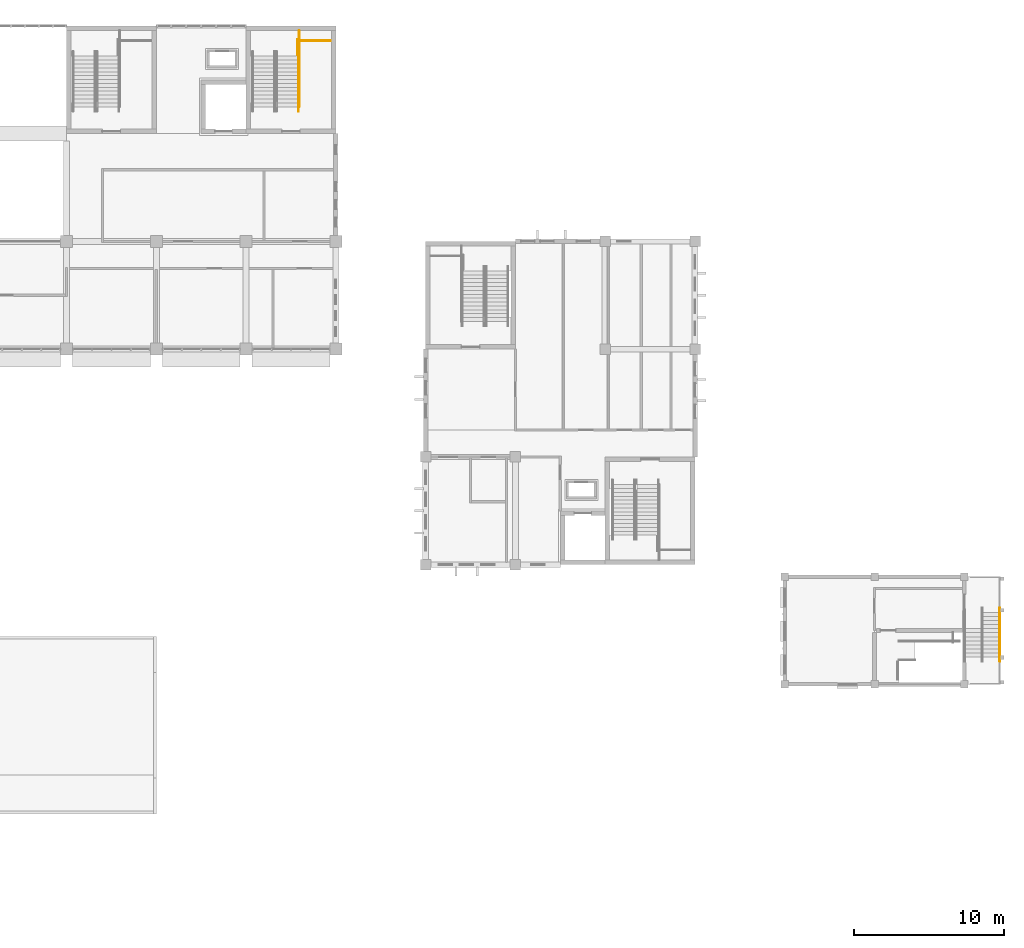
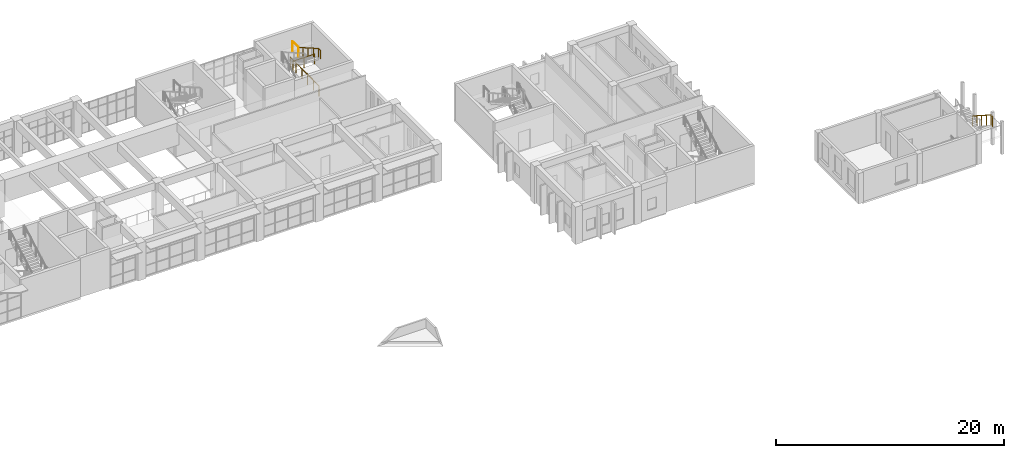
# One storey, part 47 of 47: 5 railings.
"""IFC4 building model written with IfcOpenShell, lengths in metres."""

from ifc_helpers import new_model, si_unit, direction, frame, origin, origin_2d, place, context, subcontext, project, spatial, circle, extrude, material, type_object, element, save


model = new_model("IFC4")

# Units and contexts
model_context = context("Model", 3, precision=1e-05, world=origin(), true_north=direction((0.0, 1.0)))
body_context = subcontext(model_context, "Body", "Model", "MODEL_VIEW")
ifc_project = project(units=[si_unit("LENGTHUNIT", "METRE"), si_unit("AREAUNIT", "SQUARE_METRE"), si_unit("VOLUMEUNIT", "CUBIC_METRE"), si_unit("PLANEANGLEUNIT", "RADIAN"), si_unit("MASSUNIT", "GRAM", prefix="KILO")], contexts=[model_context])

# Site, building, storey
site_placement = place(None, origin())
site = spatial("IfcSite", under=ifc_project, at=site_placement, CompositionType="ELEMENT")
building_placement = place(site_placement, origin())
building = spatial("IfcBuilding", under=site, at=building_placement, Name="Laocheng Heights Fire and Rescue Headquarters", CompositionType="ELEMENT")
storey_placement = place(building_placement, frame((0.0, 0.0, 16.800048828125)))
storey = spatial("IfcBuildingStorey", under=building, at=storey_placement, Name="L04", CompositionType="ELEMENT", Elevation=16.800048828125)

# Railings
ifc_material_1 = material(Name="Steel Q355B", Category="steel")
railing_type_1 = type_object("IfcRailingType", Name="STAIR GUARD 1100", PredefinedType="GUARDRAIL", material=ifc_material_1)
railing_1_placement = place(storey_placement, frame((81.47509765625, 71.02001953125, 0.0)))
element("IfcRailing", 1, at=railing_1_placement, inside=storey, type_object=railing_type_1, Name="Stair H2 guard L04 tongue edge", PredefinedType="GUARDRAIL", context=body_context, shape_type="SweptSolid", body=[
    extrude(circle(Radius=0.02392578125, at=origin_2d()), frame((0.0, 0.0, 1.076171875), z_axis=(1.0, 0.0, 0.0), x_axis=(0.0, 1.0, 0.0)), (0.0, 0.0, 1.0), 2.1748046875),
    extrude(circle(Radius=0.02099609375, at=origin_2d()), origin(), (0.0, 0.0, 1.0), 1.052001953125),
    extrude(circle(Radius=0.02099609375, at=origin_2d()), frame((1.08740234375, 0.0, 0.0)), (0.0, 0.0, 1.0), 1.052001953125),
    extrude(circle(Radius=0.02099609375, at=origin_2d()), frame((2.1748046875, 0.0, 0.0)), (0.0, 0.0, 1.0), 1.052001953125),
])
railing_2_placement = place(storey_placement, frame((81.554931640625, 71.679931640625, 0.0)))
element("IfcRailing", 2, at=railing_2_placement, inside=storey, type_object=railing_type_1, Name="Stair H2 guard L04 strip edge", PredefinedType="GUARDRAIL", context=body_context, shape_type="SweptSolid", body=[
    extrude(circle(Radius=0.02392578125, at=origin_2d()), frame((0.0, 0.0, 1.076171875), z_axis=(0.0, -1.0, 0.0), x_axis=(1.0, 0.0, 0.0)), (0.0, 0.0, 1.0), 5.079833984375),
    extrude(circle(Radius=0.02099609375, at=origin_2d()), origin(), (0.0, 0.0, 1.0), 1.052001953125),
    extrude(circle(Radius=0.02099609375, at=origin_2d()), frame((0.0, -1.015869140625, 0.0)), (0.0, 0.0, 1.0), 1.052001953125),
    extrude(circle(Radius=0.02099609375, at=origin_2d()), frame((0.0, -2.031982421875, 0.0)), (0.0, 0.0, 1.0), 1.052001953125),
    extrude(circle(Radius=0.02099609375, at=origin_2d()), frame((0.0, -3.0478515625, 0.0)), (0.0, 0.0, 1.0), 1.052001953125),
    extrude(circle(Radius=0.02099609375, at=origin_2d()), frame((0.0, -4.06396484375, 0.0)), (0.0, 0.0, 1.0), 1.052001953125),
    extrude(circle(Radius=0.02099609375, at=origin_2d()), frame((0.0, -5.079833984375, 0.0)), (0.0, 0.0, 1.0), 1.052001953125),
])
railing_3_placement = place(storey_placement, frame((81.445068359375, 71.080078125, 2.099853515625)))
element("IfcRailing", 3, at=railing_3_placement, inside=storey, type_object=railing_type_1, Name="Stair H2 guard L04 half landing", PredefinedType="GUARDRAIL", context=body_context, shape_type="SweptSolid", body=[
    extrude(circle(Radius=0.02392578125, at=origin_2d()), frame((0.0, 0.0, 1.076171875), z_axis=(0.0, -1.0, 0.0), x_axis=(1.0, 0.0, 0.0)), (0.0, 0.0, 1.0), 1.0),
    extrude(circle(Radius=0.02099609375, at=origin_2d()), origin(), (0.0, 0.0, 1.0), 1.052001953125),
    extrude(circle(Radius=0.02099609375, at=origin_2d()), frame((0.0, -1.0, 0.0)), (0.0, 0.0, 1.0), 1.052001953125),
])
railing_4_placement = place(storey_placement, frame((128.3701171875, 33.10009765625, 0.699951171875)))
element("IfcRailing", 4, at=railing_4_placement, inside=storey, type_object=railing_type_1, Name="Stair T2 guard F6 1", PredefinedType="GUARDRAIL", context=body_context, shape_type="SweptSolid", body=[
    extrude(circle(Radius=0.02392578125, at=origin_2d()), frame((0.0, 0.0, 1.076171875), z_axis=(0.0, -0.841419242076, 0.540382881913), x_axis=(1.0, 0.0, 0.0)), (0.0, 0.0, 1.0), 3.88623046875),
    extrude(circle(Radius=0.02392578125, at=origin_2d()), frame((0.0, -3.27001953125, 3.17626953125), z_axis=(0.0, -1.0, 0.0), x_axis=(1.0, 0.0, 0.0)), (0.0, 0.0, 1.0), 0.300048828125),
    extrude(circle(Radius=0.02099609375, at=origin_2d()), origin(), (0.0, 0.0, 1.0), 1.052001953125),
    extrude(circle(Radius=0.02099609375, at=origin_2d()), frame((0.0, -0.8173828125, 0.52490234375)), (0.0, 0.0, 1.0), 1.052001953125),
    extrude(circle(Radius=0.02099609375, at=origin_2d()), frame((0.0, -1.635009765625, 1.050048828125)), (0.0, 0.0, 1.0), 1.052001953125),
    extrude(circle(Radius=0.02099609375, at=origin_2d()), frame((0.0, -2.45263671875, 1.5751953125)), (0.0, 0.0, 1.0), 1.052001953125),
    extrude(circle(Radius=0.02099609375, at=origin_2d()), frame((0.0, -3.27001953125, 2.10009765625)), (0.0, 0.0, 1.0), 1.052001953125),
    extrude(circle(Radius=0.02099609375, at=origin_2d()), frame((0.0, -3.570068359375, 2.10009765625)), (0.0, 0.0, 1.0), 1.052001953125),
])
ifc_material_2 = material(Name="Steel Q355B", Category="steel")
railing_type_2 = type_object("IfcRailingType", Name="STAIR HANDRAIL 920", PredefinedType="HANDRAIL", material=ifc_material_2)
railing_5_placement = place(storey_placement, frame((81.5048828125, 70.280029296875, 2.099853515625)))
element("IfcRailing", 5, at=railing_5_placement, inside=storey, type_object=railing_type_2, Name="Stair H2 handrail L04 4", PredefinedType="HANDRAIL", context=body_context, shape_type="SweptSolid", body=[
    extrude(circle(Radius=0.02392578125, at=origin_2d()), frame((0.0, 0.0, 0.89599609375), z_axis=(0.0, -0.868519587458, 0.495654845838), x_axis=(1.0, 0.0, 0.0)), (0.0, 0.0, 1.0), 4.237060546875),
    extrude(circle(Radius=0.02392578125, at=origin_2d()), frame((0.0, -3.679931640625, 2.99609375), z_axis=(0.0, -1.0, 0.0), x_axis=(1.0, 0.0, 0.0)), (0.0, 0.0, 1.0), 0.300048828125),
    extrude(circle(Radius=0.02099609375, at=origin_2d()), origin(), (0.0, 0.0, 1.0), 0.871826171875),
    extrude(circle(Radius=0.02099609375, at=origin_2d()), frame((0.0, -0.919921875, 0.52490234375)), (0.0, 0.0, 1.0), 0.871826171875),
    extrude(circle(Radius=0.02099609375, at=origin_2d()), frame((0.0, -1.83984375, 1.050048828125)), (0.0, 0.0, 1.0), 0.871826171875),
    extrude(circle(Radius=0.02099609375, at=origin_2d()), frame((0.0, -2.760009765625, 1.5751953125)), (0.0, 0.0, 1.0), 0.871826171875),
    extrude(circle(Radius=0.02099609375, at=origin_2d()), frame((0.0, -3.679931640625, 2.10009765625)), (0.0, 0.0, 1.0), 0.871826171875),
    extrude(circle(Radius=0.02099609375, at=origin_2d()), frame((0.0, -3.97998046875, 2.10009765625)), (0.0, 0.0, 1.0), 0.871826171875),
])

save(model, "model.ifc")
